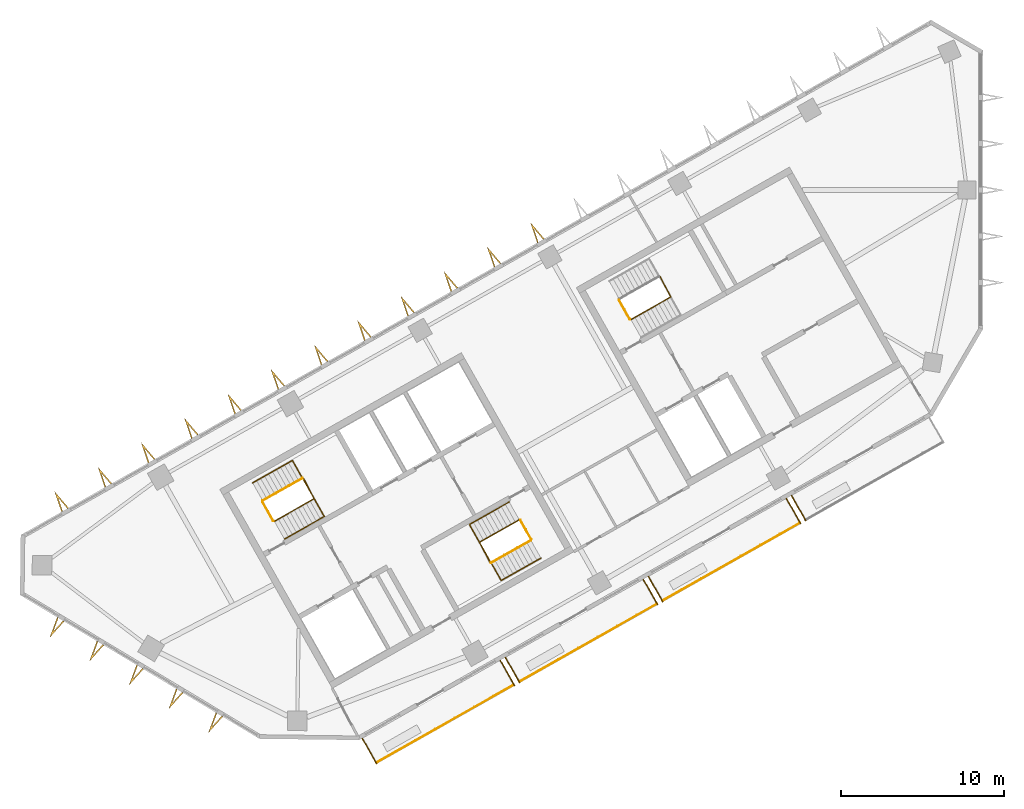
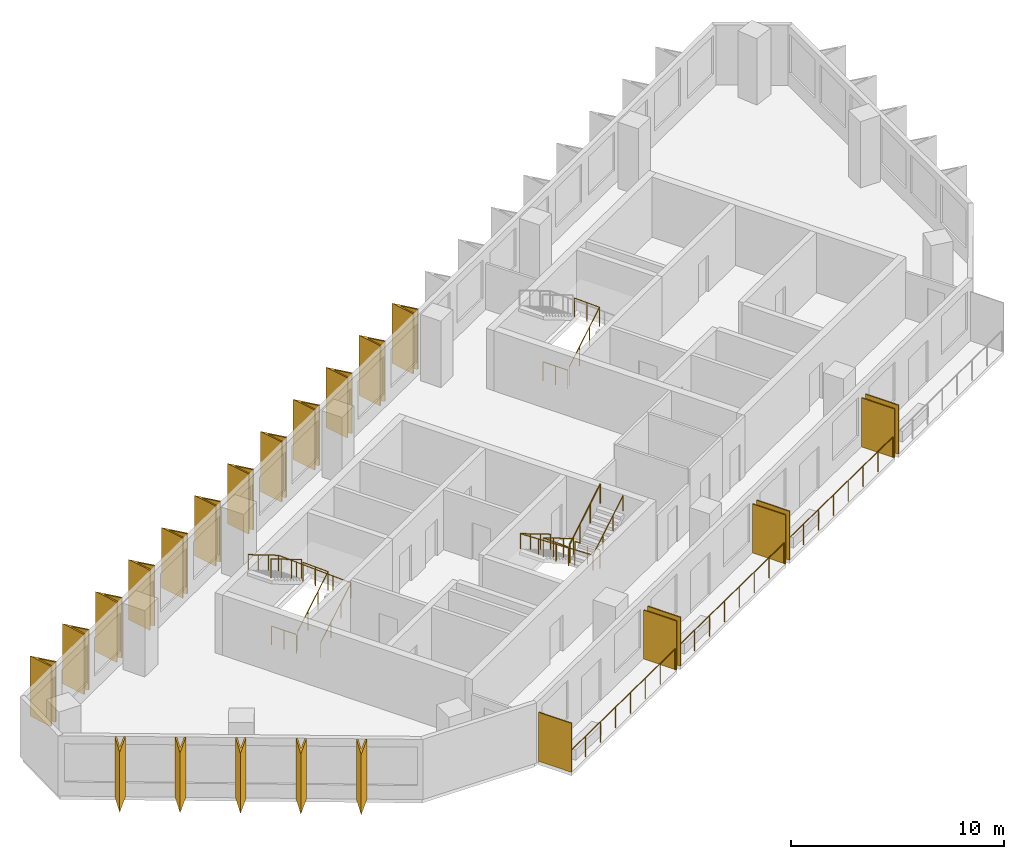
# One storey, part 6 of 8: 24 shading devices, 13 railings.
"""IFC4 building model written with IfcOpenShell, lengths in metres."""

from ifc_helpers import new_model, si_unit, direction, frame, origin, origin_2d, place, context, subcontext, project, spatial, polyline, rectangle, circle, outline, extrude, material, layer, layer_set, type_object, element, save


model = new_model("IFC4")

# Units and contexts
model_context = context("Model", 3, precision=1e-05, world=origin(), true_north=direction((0.0, 1.0)))
body_context = subcontext(model_context, "Body", "Model", "MODEL_VIEW")
ifc_project = project(units=[si_unit("LENGTHUNIT", "METRE"), si_unit("AREAUNIT", "SQUARE_METRE"), si_unit("VOLUMEUNIT", "CUBIC_METRE"), si_unit("PLANEANGLEUNIT", "RADIAN"), si_unit("MASSUNIT", "GRAM", prefix="KILO")], contexts=[model_context])

# Site, building, storey
site_placement = place(None, origin())
site = spatial("IfcSite", under=ifc_project, at=site_placement, CompositionType="ELEMENT")
building_placement = place(site_placement, origin())
building = spatial("IfcBuilding", under=site, at=building_placement, Name="Binnacle Exchange Tower", CompositionType="ELEMENT")
storey_placement = place(building_placement, frame((0.0, 0.0, 308.300048828125)))
storey = spatial("IfcBuildingStorey", under=building, at=storey_placement, Name="L69", CompositionType="ELEMENT", Elevation=308.300048828125)

# Railings
ifc_material_1 = material(Name="Bronze anodised aluminium frame", Category="aluminium")
railing_type_1 = type_object("IfcRailingType", Name="GUARD 1200", PredefinedType="GUARDRAIL", material=ifc_material_1)
for number, where, name in (
    (1, (-37.006591796875, 24.94287109375, 0.0), "Balcony guard H07-B00 L69"),
    (2, (-28.24365234375, 29.900634765625, 0.0), "Balcony guard H07-B01 L69"),
):
    element("IfcRailing", number, at=place(storey_placement, frame(where)), inside=storey, type_object=railing_type_1, Name=name, PredefinedType="GUARDRAIL", context=body_context, shape_type="SweptSolid", body=[
        extrude(circle(Radius=0.02392578125, at=origin_2d()), frame((0.0, 0.0, 1.17578125), z_axis=(0.870359171481, 0.492417417055, 0.0), x_axis=(-0.492417417055, 0.870359171481, 0.0)), (0.0, 0.0, 1.0), 9.648193359375),
        extrude(circle(Radius=0.02099609375, at=origin_2d()), origin(), (0.0, 0.0, 1.0), 1.15185546875),
        extrude(circle(Radius=0.02099609375, at=origin_2d()), frame((1.19970703125, 0.6787109375, 0.0)), (0.0, 0.0, 1.0), 1.15185546875),
        extrude(circle(Radius=0.02099609375, at=origin_2d()), frame((2.399169921875, 1.357421875, 0.0)), (0.0, 0.0, 1.0), 1.15185546875),
        extrude(circle(Radius=0.02099609375, at=origin_2d()), frame((3.598876953125, 2.0361328125, 0.0)), (0.0, 0.0, 1.0), 1.15185546875),
        extrude(circle(Radius=0.02099609375, at=origin_2d()), frame((4.798583984375, 2.71484375, 0.0)), (0.0, 0.0, 1.0), 1.15185546875),
        extrude(circle(Radius=0.02099609375, at=origin_2d()), frame((5.998291015625, 3.3935546875, 0.0)), (0.0, 0.0, 1.0), 1.15185546875),
        extrude(circle(Radius=0.02099609375, at=origin_2d()), frame((7.19775390625, 4.072265625, 0.0)), (0.0, 0.0, 1.0), 1.15185546875),
        extrude(circle(Radius=0.02099609375, at=origin_2d()), frame((8.3974609375, 4.7509765625, 0.0)), (0.0, 0.0, 1.0), 1.15185546875),
    ])
railing_1_placement = place(storey_placement, frame((-19.480712890625, 34.8583984375, 0.0)))
element("IfcRailing", 3, at=railing_1_placement, inside=storey, type_object=railing_type_1, Name="Balcony guard H07-B02 L69", PredefinedType="GUARDRAIL", context=body_context, shape_type="SweptSolid", body=[
    extrude(circle(Radius=0.02392578125, at=origin_2d()), frame((0.0, 0.0, 1.17578125), z_axis=(0.870342190373, 0.492447430349, 0.0), x_axis=(-0.492447430349, 0.870342190373, 0.0)), (0.0, 0.0, 1.0), 9.648193359375),
    extrude(circle(Radius=0.02099609375, at=origin_2d()), origin(), (0.0, 0.0, 1.0), 1.15185546875),
    extrude(circle(Radius=0.02099609375, at=origin_2d()), frame((1.19970703125, 0.6787109375, 0.0)), (0.0, 0.0, 1.0), 1.15185546875),
    extrude(circle(Radius=0.02099609375, at=origin_2d()), frame((2.399169921875, 1.357421875, 0.0)), (0.0, 0.0, 1.0), 1.15185546875),
    extrude(circle(Radius=0.02099609375, at=origin_2d()), frame((3.598876953125, 2.0361328125, 0.0)), (0.0, 0.0, 1.0), 1.15185546875),
    extrude(circle(Radius=0.02099609375, at=origin_2d()), frame((4.79833984375, 2.715087890625, 0.0)), (0.0, 0.0, 1.0), 1.15185546875),
    extrude(circle(Radius=0.02099609375, at=origin_2d()), frame((5.998046875, 3.393798828125, 0.0)), (0.0, 0.0, 1.0), 1.15185546875),
    extrude(circle(Radius=0.02099609375, at=origin_2d()), frame((7.197509765625, 4.072509765625, 0.0)), (0.0, 0.0, 1.0), 1.15185546875),
    extrude(circle(Radius=0.02099609375, at=origin_2d()), frame((8.397216796875, 4.751220703125, 0.0)), (0.0, 0.0, 1.0), 1.15185546875),
])

# Shading devices
ifc_material_2 = material(Name="Bronze aluminium louvre", Category="aluminium")
ifc_layer = layer(ifc_material_2, 0.06005859375)
ifc_layer_set = layer_set([ifc_layer], Name="PLANTED SCREEN 60x2800")
shading_device_type_1 = type_object("IfcShadingDeviceType", Name="PLANTED SCREEN 60x2800", PredefinedType="USERDEFINED", material=ifc_layer_set)
for number, where, z_axis, x_axis, name in (
    (4, (-37.436279296875, 25.641845703125, 0.0), (0.0, 0.0, 1.0), (0.87035569594, 0.492423560103, 0.0), "Planted screen H07-B00a L69"),
    (5, (-28.98681640625, 30.42236328125, 0.0), (0.0, 0.0, 1.0), (0.87035569594, 0.492423560103, 0.0), "Planted screen H07-B00b L69"),
    (6, (-28.673583984375, 30.599609375, 0.0), (0.0, 0.0, 1.0), (0.87035569594, 0.492423560103, 0.0), "Planted screen H07-B01a L69"),
    (7, (-20.223876953125, 35.380126953125, 0.0), (0.0, 0.0, 1.0), (0.87035569594, 0.492423560103, 0.0), "Planted screen H07-B01b L69"),
    (8, (-19.91064453125, 35.5576171875, 0.0), (0.0, 0.0, 1.0), (0.87035569594, 0.492423560103, 0.0), "Planted screen H07-B02a L69"),
    (9, (-11.461181640625, 40.337890625, 0.0), (0.0, 0.0, 1.0), (0.87035569594, 0.492423560103, 0.0), "Planted screen H07-B02b L69"),
    (10, (-11.147705078125, 40.51513671875, 0.0), (0.0, 0.0, 1.0), (0.87035569594, 0.492423560103, 0.0), "Planted screen H07-B03a L69"),
):
    element("IfcShadingDevice", number, at=place(storey_placement, frame(where, z_axis=z_axis, x_axis=x_axis)), inside=storey, type_object=shading_device_type_1, Name=name, ObjectType="SCREEN", PredefinedType="USERDEFINED", context=body_context, shape_type="SweptSolid", body=[
        extrude(rectangle(XDim=0.06005859375, YDim=1.800048828125, at=origin_2d()), origin(), (0.0, 0.0, 1.0), 2.800048828125),
    ])

# Railings
ifc_material_3 = material(Name="Steel guard rail", Category="steel")
railing_type_2 = type_object("IfcRailingType", Name="STAIR GUARD 1100", PredefinedType="GUARDRAIL", material=ifc_material_3)
railing_2_placement = place(storey_placement, frame((-43.26171875, 39.71728515625, 0.172607421875)))
element("IfcRailing", 11, at=railing_2_placement, inside=storey, type_object=railing_type_2, Name="L69 STA1 stair guard 1", PredefinedType="GUARDRAIL", context=body_context, shape_type="SweptSolid", body=[
    extrude(circle(Radius=0.02392578125, at=origin_2d()), frame((0.0, 0.0, 1.076171875), z_axis=(0.740737961854, 0.419123222656, 0.525017138862), x_axis=(-0.492453686477, 0.870338650569, 0.0)), (0.0, 0.0, 1.0), 3.2900390625),
    extrude(circle(Radius=0.02392578125, at=origin_2d()), frame((2.43701171875, 1.37890625, 2.80322265625), z_axis=(-0.461100321709, 0.887348011391, 0.0), x_axis=(-0.887348011391, -0.461100321709, 0.0)), (0.0, 0.0, 1.0), 1.40087890625),
    extrude(circle(Radius=0.02099609375, at=origin_2d()), origin(), (0.0, 0.0, 1.0), 1.052001953125),
    extrude(circle(Radius=0.02099609375, at=origin_2d()), frame((0.812255859375, 0.459716796875, 0.57568359375)), (0.0, 0.0, 1.0), 1.052001953125),
    extrude(circle(Radius=0.02099609375, at=origin_2d()), frame((1.624755859375, 0.919189453125, 1.151611328125)), (0.0, 0.0, 1.0), 1.052001953125),
    extrude(circle(Radius=0.02099609375, at=origin_2d()), frame((2.43701171875, 1.37890625, 1.727294921875)), (0.0, 0.0, 1.0), 1.052001953125),
    extrude(circle(Radius=0.02099609375, at=origin_2d()), frame((2.114013671875, 2.00048828125, 1.727294921875)), (0.0, 0.0, 1.0), 1.052001953125),
    extrude(circle(Radius=0.02099609375, at=origin_2d()), frame((1.791015625, 2.6220703125, 1.727294921875)), (0.0, 0.0, 1.0), 1.052001953125),
])
railing_3_placement = place(storey_placement, frame((-41.538818359375, 42.358154296875, 2.07275390625)))
element("IfcRailing", 12, at=railing_3_placement, inside=storey, type_object=railing_type_2, Name="L69 STA1 stair guard 2", PredefinedType="GUARDRAIL", context=body_context, shape_type="SweptSolid", body=[
    extrude(circle(Radius=0.02392578125, at=origin_2d()), frame((0.0, 0.0, 1.076171875), z_axis=(-0.740737961854, -0.419123222656, 0.525017138862), x_axis=(0.492453686477, -0.870338650569, 0.0)), (0.0, 0.0, 1.0), 3.2900390625),
    extrude(circle(Radius=0.02099609375, at=origin_2d()), origin(), (0.0, 0.0, 1.0), 1.052001953125),
    extrude(circle(Radius=0.02099609375, at=origin_2d()), frame((-0.812255859375, -0.459716796875, 0.57568359375)), (0.0, 0.0, 1.0), 1.052001953125),
    extrude(circle(Radius=0.02099609375, at=origin_2d()), frame((-1.624755859375, -0.919189453125, 1.151611328125)), (0.0, 0.0, 1.0), 1.052001953125),
    extrude(circle(Radius=0.02099609375, at=origin_2d()), frame((-2.43701171875, -1.37890625, 1.727294921875)), (0.0, 0.0, 1.0), 1.052001953125),
])
railing_4_placement = place(storey_placement, frame((-43.329833984375, 39.736328125, 0.0)))
element("IfcRailing", 13, at=railing_4_placement, inside=storey, type_object=railing_type_2, Name="L69 STA1 stair guard 3", PredefinedType="GUARDRAIL", context=body_context, shape_type="SweptSolid", body=[
    extrude(circle(Radius=0.02392578125, at=origin_2d()), frame((0.0, 0.0, 1.076171875), z_axis=(-0.4924922531, 0.870316827734, 0.0), x_axis=(-0.870316827734, -0.4924922531, 0.0)), (0.0, 0.0, 1.0), 1.349853515625),
    extrude(circle(Radius=0.02099609375, at=origin_2d()), origin(), (0.0, 0.0, 1.0), 1.052001953125),
    extrude(circle(Radius=0.02099609375, at=origin_2d()), frame((-0.33251953125, 0.58740234375, 0.0)), (0.0, 0.0, 1.0), 1.052001953125),
    extrude(circle(Radius=0.02099609375, at=origin_2d()), frame((-0.664794921875, 1.1748046875, 0.0)), (0.0, 0.0, 1.0), 1.052001953125),
])
railing_5_placement = place(storey_placement, frame((-28.265380859375, 39.814453125, 0.172607421875)))
element("IfcRailing", 14, at=railing_5_placement, inside=storey, type_object=railing_type_2, Name="L69 STA2 stair guard 1", PredefinedType="GUARDRAIL", context=body_context, shape_type="SweptSolid", body=[
    extrude(circle(Radius=0.02392578125, at=origin_2d()), frame((0.0, 0.0, 1.076171875), z_axis=(-0.740760999345, -0.419062048017, 0.525033467278), x_axis=(0.492387636113, -0.870376019777, 0.0)), (0.0, 0.0, 1.0), 3.289794921875),
    extrude(circle(Radius=0.02392578125, at=origin_2d()), frame((-2.43701171875, -1.378662109375, 2.80322265625), z_axis=(0.460963092712, -0.887419307406, 0.0), x_axis=(0.887419307406, 0.460963092712, 0.0)), (0.0, 0.0, 1.0), 1.40087890625),
    extrude(circle(Radius=0.02099609375, at=origin_2d()), origin(), (0.0, 0.0, 1.0), 1.052001953125),
    extrude(circle(Radius=0.02099609375, at=origin_2d()), frame((-0.812255859375, -0.45947265625, 0.57568359375)), (0.0, 0.0, 1.0), 1.052001953125),
    extrude(circle(Radius=0.02099609375, at=origin_2d()), frame((-1.624755859375, -0.919189453125, 1.151611328125)), (0.0, 0.0, 1.0), 1.052001953125),
    extrude(circle(Radius=0.02099609375, at=origin_2d()), frame((-2.43701171875, -1.378662109375, 1.727294921875)), (0.0, 0.0, 1.0), 1.052001953125),
    extrude(circle(Radius=0.02099609375, at=origin_2d()), frame((-2.1142578125, -2.000244140625, 1.727294921875)), (0.0, 0.0, 1.0), 1.052001953125),
    extrude(circle(Radius=0.02099609375, at=origin_2d()), frame((-1.791259765625, -2.621826171875, 1.727294921875)), (0.0, 0.0, 1.0), 1.052001953125),
])
railing_6_placement = place(storey_placement, frame((-29.988525390625, 37.173583984375, 2.07275390625)))
element("IfcRailing", 15, at=railing_6_placement, inside=storey, type_object=railing_type_2, Name="L69 STA2 stair guard 2", PredefinedType="GUARDRAIL", context=body_context, shape_type="SweptSolid", body=[
    extrude(circle(Radius=0.02392578125, at=origin_2d()), frame((0.0, 0.0, 1.076171875), z_axis=(0.740737961854, 0.419123222656, 0.525017138862), x_axis=(-0.492453686477, 0.870338650569, 0.0)), (0.0, 0.0, 1.0), 3.2900390625),
    extrude(circle(Radius=0.02099609375, at=origin_2d()), origin(), (0.0, 0.0, 1.0), 1.052001953125),
    extrude(circle(Radius=0.02099609375, at=origin_2d()), frame((0.812255859375, 0.459716796875, 0.57568359375)), (0.0, 0.0, 1.0), 1.052001953125),
    extrude(circle(Radius=0.02099609375, at=origin_2d()), frame((1.624755859375, 0.919189453125, 1.151611328125)), (0.0, 0.0, 1.0), 1.052001953125),
    extrude(circle(Radius=0.02099609375, at=origin_2d()), frame((2.43701171875, 1.37890625, 1.727294921875)), (0.0, 0.0, 1.0), 1.052001953125),
])
railing_7_placement = place(storey_placement, frame((-28.197265625, 39.795654296875, 0.0)))
element("IfcRailing", 16, at=railing_7_placement, inside=storey, type_object=railing_type_2, Name="L69 STA2 stair guard 3", PredefinedType="GUARDRAIL", context=body_context, shape_type="SweptSolid", body=[
    extrude(circle(Radius=0.02392578125, at=origin_2d()), frame((0.0, 0.0, 1.076171875), z_axis=(0.49241474071, -0.870360685654, 0.0), x_axis=(0.870360685654, 0.49241474071, 0.0)), (0.0, 0.0, 1.0), 1.35009765625),
    extrude(circle(Radius=0.02099609375, at=origin_2d()), origin(), (0.0, 0.0, 1.0), 1.052001953125),
    extrude(circle(Radius=0.02099609375, at=origin_2d()), frame((0.33251953125, -0.58740234375, 0.0)), (0.0, 0.0, 1.0), 1.052001953125),
    extrude(circle(Radius=0.02099609375, at=origin_2d()), frame((0.664794921875, -1.175048828125, 0.0)), (0.0, 0.0, 1.0), 1.052001953125),
])
railing_8_placement = place(storey_placement, frame((-21.423828125, 52.07275390625, 0.172607421875)))
element("IfcRailing", 17, at=railing_8_placement, inside=storey, type_object=railing_type_2, Name="L69 STC1 stair guard 1", PredefinedType="GUARDRAIL", context=body_context, shape_type="SweptSolid", body=[
    extrude(circle(Radius=0.02392578125, at=origin_2d()), frame((0.0, 0.0, 1.076171875), z_axis=(0.740760999345, 0.419062048017, 0.525033467278), x_axis=(-0.492387636113, 0.870376019777, 0.0)), (0.0, 0.0, 1.0), 3.289794921875),
    extrude(circle(Radius=0.02392578125, at=origin_2d()), frame((2.43701171875, 1.378662109375, 2.80322265625), z_axis=(-0.460963092712, 0.887419307406, 0.0), x_axis=(-0.887419307406, -0.460963092712, 0.0)), (0.0, 0.0, 1.0), 1.40087890625),
    extrude(circle(Radius=0.02099609375, at=origin_2d()), origin(), (0.0, 0.0, 1.0), 1.052001953125),
    extrude(circle(Radius=0.02099609375, at=origin_2d()), frame((0.812255859375, 0.45947265625, 0.57568359375)), (0.0, 0.0, 1.0), 1.052001953125),
    extrude(circle(Radius=0.02099609375, at=origin_2d()), frame((1.624755859375, 0.919189453125, 1.151611328125)), (0.0, 0.0, 1.0), 1.052001953125),
    extrude(circle(Radius=0.02099609375, at=origin_2d()), frame((2.43701171875, 1.378662109375, 1.727294921875)), (0.0, 0.0, 1.0), 1.052001953125),
    extrude(circle(Radius=0.02099609375, at=origin_2d()), frame((2.1142578125, 2.000244140625, 1.727294921875)), (0.0, 0.0, 1.0), 1.052001953125),
    extrude(circle(Radius=0.02099609375, at=origin_2d()), frame((1.791259765625, 2.621826171875, 1.727294921875)), (0.0, 0.0, 1.0), 1.052001953125),
])
railing_9_placement = place(storey_placement, frame((-21.491943359375, 52.091552734375, 0.0)))
element("IfcRailing", 18, at=railing_9_placement, inside=storey, type_object=railing_type_2, Name="L69 STC1 stair guard 3", PredefinedType="GUARDRAIL", context=body_context, shape_type="SweptSolid", body=[
    extrude(circle(Radius=0.02392578125, at=origin_2d()), frame((0.0, 0.0, 1.076171875), z_axis=(-0.49241474071, 0.870360685654, 0.0), x_axis=(-0.870360685654, -0.49241474071, 0.0)), (0.0, 0.0, 1.0), 1.35009765625),
    extrude(circle(Radius=0.02099609375, at=origin_2d()), origin(), (0.0, 0.0, 1.0), 1.052001953125),
    extrude(circle(Radius=0.02099609375, at=origin_2d()), frame((-0.33251953125, 0.58740234375, 0.0)), (0.0, 0.0, 1.0), 1.052001953125),
    extrude(circle(Radius=0.02099609375, at=origin_2d()), frame((-0.664794921875, 1.175048828125, 0.0)), (0.0, 0.0, 1.0), 1.052001953125),
])
ifc_material_4 = material(Name="Steel handrail", Category="steel")
railing_type_3 = type_object("IfcRailingType", Name="STAIR HANDRAIL 900", PredefinedType="HANDRAIL", material=ifc_material_4)
railing_10_placement = place(storey_placement, frame((-42.646240234375, 38.62939453125, 0.172607421875)))
element("IfcRailing", 19, at=railing_10_placement, inside=storey, type_object=railing_type_3, Name="L69 STA1 stair handrail 1", PredefinedType="HANDRAIL", context=body_context, shape_type="SweptSolid", body=[
    extrude(circle(Radius=0.02392578125, at=origin_2d()), frame((0.0, 0.0, 0.8759765625), z_axis=(0.740760999345, 0.419062048017, 0.525033467278), x_axis=(-0.492387636113, 0.870376019777, 0.0)), (0.0, 0.0, 1.0), 3.289794921875),
    extrude(circle(Radius=0.02392578125, at=origin_2d()), frame((2.43701171875, 1.378662109375, 2.60302734375), z_axis=(-0.491942846455, 0.869529203437, 0.043717275673), x_axis=(-0.870361318571, -0.492413622004, 0.0)), (0.0, 0.0, 1.0), 3.953857421875),
    extrude(circle(Radius=0.02392578125, at=origin_2d()), frame((0.491943359375, 4.816650390625, 2.77587890625), z_axis=(-0.740760999345, -0.419062048017, 0.525033467278), x_axis=(0.492387636113, -0.870376019777, 0.0)), (0.0, 0.0, 1.0), 3.289794921875),
    extrude(circle(Radius=0.02099609375, at=origin_2d()), origin(), (0.0, 0.0, 1.0), 0.851806640625),
    extrude(circle(Radius=0.02099609375, at=origin_2d()), frame((0.812255859375, 0.45947265625, 0.57568359375)), (0.0, 0.0, 1.0), 0.851806640625),
    extrude(circle(Radius=0.02099609375, at=origin_2d()), frame((1.624755859375, 0.919189453125, 1.151611328125)), (0.0, 0.0, 1.0), 0.851806640625),
    extrude(circle(Radius=0.02099609375, at=origin_2d()), frame((2.43701171875, 1.378662109375, 1.727294921875)), (0.0, 0.0, 1.0), 0.851806640625),
    extrude(circle(Radius=0.02099609375, at=origin_2d()), frame((1.95068359375, 2.23828125, 1.7705078125)), (0.0, 0.0, 1.0), 0.851806640625),
    extrude(circle(Radius=0.02099609375, at=origin_2d()), frame((1.46435546875, 3.09765625, 1.813720703125)), (0.0, 0.0, 1.0), 0.851806640625),
    extrude(circle(Radius=0.02099609375, at=origin_2d()), frame((0.978271484375, 3.95703125, 1.85693359375)), (0.0, 0.0, 1.0), 0.851806640625),
    extrude(circle(Radius=0.02099609375, at=origin_2d()), frame((0.491943359375, 4.816650390625, 1.900146484375)), (0.0, 0.0, 1.0), 0.851806640625),
    extrude(circle(Radius=0.02099609375, at=origin_2d()), frame((-0.3203125, 4.357177734375, 2.475830078125)), (0.0, 0.0, 1.0), 0.851806640625),
    extrude(circle(Radius=0.02099609375, at=origin_2d()), frame((-1.1328125, 3.8974609375, 3.0517578125)), (0.0, 0.0, 1.0), 0.851806640625),
    extrude(circle(Radius=0.02099609375, at=origin_2d()), frame((-1.945068359375, 3.43798828125, 3.62744140625)), (0.0, 0.0, 1.0), 0.851806640625),
])
railing_11_placement = place(storey_placement, frame((-28.880859375, 40.90234375, 0.172607421875)))
element("IfcRailing", 20, at=railing_11_placement, inside=storey, type_object=railing_type_3, Name="L69 STA2 stair handrail 1", PredefinedType="HANDRAIL", context=body_context, shape_type="SweptSolid", body=[
    extrude(circle(Radius=0.02392578125, at=origin_2d()), frame((0.0, 0.0, 0.8759765625), z_axis=(-0.740760999345, -0.419062048017, 0.525033467278), x_axis=(0.492387636113, -0.870376019777, 0.0)), (0.0, 0.0, 1.0), 3.289794921875),
    extrude(circle(Radius=0.02392578125, at=origin_2d()), frame((-2.43701171875, -1.378662109375, 2.60302734375), z_axis=(0.491942846455, -0.869529203437, 0.043717275673), x_axis=(0.870361318571, 0.492413622004, 0.0)), (0.0, 0.0, 1.0), 3.953857421875),
    extrude(circle(Radius=0.02392578125, at=origin_2d()), frame((-0.491943359375, -4.816650390625, 2.77587890625), z_axis=(0.740737961854, 0.419123222656, 0.525017138862), x_axis=(-0.492453686477, 0.870338650569, 0.0)), (0.0, 0.0, 1.0), 3.2900390625),
    extrude(circle(Radius=0.02099609375, at=origin_2d()), origin(), (0.0, 0.0, 1.0), 0.851806640625),
    extrude(circle(Radius=0.02099609375, at=origin_2d()), frame((-0.812255859375, -0.45947265625, 0.57568359375)), (0.0, 0.0, 1.0), 0.851806640625),
    extrude(circle(Radius=0.02099609375, at=origin_2d()), frame((-1.624755859375, -0.919189453125, 1.151611328125)), (0.0, 0.0, 1.0), 0.851806640625),
    extrude(circle(Radius=0.02099609375, at=origin_2d()), frame((-2.43701171875, -1.378662109375, 1.727294921875)), (0.0, 0.0, 1.0), 0.851806640625),
    extrude(circle(Radius=0.02099609375, at=origin_2d()), frame((-1.95068359375, -2.23828125, 1.7705078125)), (0.0, 0.0, 1.0), 0.851806640625),
    extrude(circle(Radius=0.02099609375, at=origin_2d()), frame((-1.46435546875, -3.09765625, 1.813720703125)), (0.0, 0.0, 1.0), 0.851806640625),
    extrude(circle(Radius=0.02099609375, at=origin_2d()), frame((-0.978271484375, -3.95703125, 1.85693359375)), (0.0, 0.0, 1.0), 0.851806640625),
    extrude(circle(Radius=0.02099609375, at=origin_2d()), frame((-0.491943359375, -4.816650390625, 1.900146484375)), (0.0, 0.0, 1.0), 0.851806640625),
    extrude(circle(Radius=0.02099609375, at=origin_2d()), frame((0.3203125, -4.35693359375, 2.475830078125)), (0.0, 0.0, 1.0), 0.851806640625),
    extrude(circle(Radius=0.02099609375, at=origin_2d()), frame((1.1328125, -3.8974609375, 3.0517578125)), (0.0, 0.0, 1.0), 0.851806640625),
    extrude(circle(Radius=0.02099609375, at=origin_2d()), frame((1.945068359375, -3.437744140625, 3.62744140625)), (0.0, 0.0, 1.0), 0.851806640625),
])

# Shading devices
ifc_material_5 = material(Name="Bronze aluminium cladding", Category="aluminium")
shading_device_type_2 = type_object("IfcShadingDeviceType", Name="V FIN 1300 DEEP x 3450 HIGH", PredefinedType="USERDEFINED", material=ifc_material_5)
shading_device_1_placement = place(storey_placement, origin())
element("IfcShadingDevice", 21, at=shading_device_1_placement, inside=storey, type_object=shading_device_type_2, Name="V fin FN-H03-09 L69", ObjectType="FIN", PredefinedType="USERDEFINED", context=body_context, shape_type="SweptSolid", body=[
    extrude(outline(polyline([(-26.72900390625, 57.02099609375), (-27.586669921875, 58.029541015625), (-27.1640625, 56.77490234375), (-27.09326171875, 56.81494140625), (-27.3779296875, 57.660888671875), (-26.7998046875, 56.98095703125), (-26.72900390625, 57.02099609375)])), origin(), (0.0, 0.0, 1.0), 3.449951171875),
])
shading_device_2_placement = place(storey_placement, origin())
element("IfcShadingDevice", 22, at=shading_device_2_placement, inside=storey, type_object=shading_device_type_2, Name="V fin FN-H03-10 L69", ObjectType="FIN", PredefinedType="USERDEFINED", context=body_context, shape_type="SweptSolid", body=[
    extrude(outline(polyline([(-29.377685546875, 55.5224609375), (-30.2353515625, 56.531005859375), (-29.812744140625, 55.2763671875), (-29.741943359375, 55.31640625), (-30.026611328125, 56.162109375), (-29.448486328125, 55.482421875), (-29.377685546875, 55.5224609375)])), origin(), (0.0, 0.0, 1.0), 3.449951171875),
])
shading_device_3_placement = place(storey_placement, origin())
element("IfcShadingDevice", 23, at=shading_device_3_placement, inside=storey, type_object=shading_device_type_2, Name="V fin FN-H03-11 L69", ObjectType="FIN", PredefinedType="USERDEFINED", context=body_context, shape_type="SweptSolid", body=[
    extrude(outline(polyline([(-32.0263671875, 54.02392578125), (-32.884033203125, 55.032470703125), (-32.46142578125, 53.77783203125), (-32.390625, 53.81787109375), (-32.67529296875, 54.663818359375), (-32.09716796875, 53.98388671875), (-32.0263671875, 54.02392578125)])), origin(), (0.0, 0.0, 1.0), 3.449951171875),
])
shading_device_4_placement = place(storey_placement, origin())
element("IfcShadingDevice", 24, at=shading_device_4_placement, inside=storey, type_object=shading_device_type_2, Name="V fin FN-H03-12 L69", ObjectType="FIN", PredefinedType="USERDEFINED", context=body_context, shape_type="SweptSolid", body=[
    extrude(outline(polyline([(-34.675048828125, 52.525390625), (-35.53271484375, 53.53369140625), (-35.110107421875, 52.279296875), (-35.039306640625, 52.3193359375), (-35.32421875, 53.1650390625), (-34.745849609375, 52.4853515625), (-34.675048828125, 52.525390625)])), origin(), (0.0, 0.0, 1.0), 3.449951171875),
])
shading_device_5_placement = place(storey_placement, origin())
element("IfcShadingDevice", 25, at=shading_device_5_placement, inside=storey, type_object=shading_device_type_2, Name="V fin FN-H03-13 L69", ObjectType="FIN", PredefinedType="USERDEFINED", context=body_context, shape_type="SweptSolid", body=[
    extrude(outline(polyline([(-37.32373046875, 51.02685546875), (-38.181640625, 52.03515625), (-37.759033203125, 50.780517578125), (-37.68798828125, 50.82080078125), (-37.972900390625, 51.66650390625), (-37.394775390625, 50.98681640625), (-37.32373046875, 51.02685546875)])), origin(), (0.0, 0.0, 1.0), 3.449951171875),
])
shading_device_6_placement = place(storey_placement, origin())
element("IfcShadingDevice", 26, at=shading_device_6_placement, inside=storey, type_object=shading_device_type_2, Name="V fin FN-H03-14 L69", ObjectType="FIN", PredefinedType="USERDEFINED", context=body_context, shape_type="SweptSolid", body=[
    extrude(outline(polyline([(-39.972412109375, 49.5283203125), (-40.830322265625, 50.53662109375), (-40.40771484375, 49.281982421875), (-40.3369140625, 49.322021484375), (-40.62158203125, 50.16796875), (-40.04345703125, 49.488037109375), (-39.972412109375, 49.5283203125)])), origin(), (0.0, 0.0, 1.0), 3.449951171875),
])
shading_device_7_placement = place(storey_placement, origin())
element("IfcShadingDevice", 27, at=shading_device_7_placement, inside=storey, type_object=shading_device_type_2, Name="V fin FN-H03-15 L69", ObjectType="FIN", PredefinedType="USERDEFINED", context=body_context, shape_type="SweptSolid", body=[
    extrude(outline(polyline([(-42.621337890625, 48.029541015625), (-43.47900390625, 49.0380859375), (-43.056396484375, 47.783447265625), (-42.985595703125, 47.823486328125), (-43.2705078125, 48.669189453125), (-42.692138671875, 47.989501953125), (-42.621337890625, 48.029541015625)])), origin(), (0.0, 0.0, 1.0), 3.449951171875),
])
shading_device_8_placement = place(storey_placement, origin())
element("IfcShadingDevice", 28, at=shading_device_8_placement, inside=storey, type_object=shading_device_type_2, Name="V fin FN-H03-16 L69", ObjectType="FIN", PredefinedType="USERDEFINED", context=body_context, shape_type="SweptSolid", body=[
    extrude(outline(polyline([(-45.27001953125, 46.531005859375), (-46.127685546875, 47.539306640625), (-45.705078125, 46.284912109375), (-45.63427734375, 46.324951171875), (-45.919189453125, 47.170654296875), (-45.3408203125, 46.490966796875), (-45.27001953125, 46.531005859375)])), origin(), (0.0, 0.0, 1.0), 3.449951171875),
])
shading_device_9_placement = place(storey_placement, origin())
element("IfcShadingDevice", 29, at=shading_device_9_placement, inside=storey, type_object=shading_device_type_2, Name="V fin FN-H03-17 L69", ObjectType="FIN", PredefinedType="USERDEFINED", context=body_context, shape_type="SweptSolid", body=[
    extrude(outline(polyline([(-47.918701171875, 45.032470703125), (-48.776611328125, 46.040771484375), (-48.35400390625, 44.7861328125), (-48.283203125, 44.826416015625), (-48.56787109375, 45.672119140625), (-47.98974609375, 44.9921875), (-47.918701171875, 45.032470703125)])), origin(), (0.0, 0.0, 1.0), 3.449951171875),
])
shading_device_10_placement = place(storey_placement, origin())
element("IfcShadingDevice", 30, at=shading_device_10_placement, inside=storey, type_object=shading_device_type_2, Name="V fin FN-H03-18 L69", ObjectType="FIN", PredefinedType="USERDEFINED", context=body_context, shape_type="SweptSolid", body=[
    extrude(outline(polyline([(-50.5673828125, 43.533935546875), (-51.42529296875, 44.542236328125), (-51.002685546875, 43.28759765625), (-50.931884765625, 43.327880859375), (-51.216552734375, 44.173583984375), (-50.638427734375, 43.493896484375), (-50.5673828125, 43.533935546875)])), origin(), (0.0, 0.0, 1.0), 3.449951171875),
])
shading_device_11_placement = place(storey_placement, origin())
element("IfcShadingDevice", 31, at=shading_device_11_placement, inside=storey, type_object=shading_device_type_2, Name="V fin FN-H03-19 L69", ObjectType="FIN", PredefinedType="USERDEFINED", context=body_context, shape_type="SweptSolid", body=[
    extrude(outline(polyline([(-53.21630859375, 42.035400390625), (-54.073974609375, 43.043701171875), (-53.6513671875, 41.7890625), (-53.58056640625, 41.8291015625), (-53.865234375, 42.675048828125), (-53.287109375, 41.9951171875), (-53.21630859375, 42.035400390625)])), origin(), (0.0, 0.0, 1.0), 3.449951171875),
])
shading_device_12_placement = place(storey_placement, origin())
element("IfcShadingDevice", 32, at=shading_device_12_placement, inside=storey, type_object=shading_device_type_2, Name="V fin FN-H03-20 L69", ObjectType="FIN", PredefinedType="USERDEFINED", context=body_context, shape_type="SweptSolid", body=[
    extrude(outline(polyline([(-55.864990234375, 40.53662109375), (-56.722900390625, 41.545166015625), (-56.30029296875, 40.29052734375), (-56.229248046875, 40.33056640625), (-56.51416015625, 41.176513671875), (-55.935791015625, 40.49658203125), (-55.864990234375, 40.53662109375)])), origin(), (0.0, 0.0, 1.0), 3.449951171875),
])
shading_device_13_placement = place(storey_placement, origin())
element("IfcShadingDevice", 33, at=shading_device_13_placement, inside=storey, type_object=shading_device_type_2, Name="V fin FN-H05-01 L69", ObjectType="FIN", PredefinedType="USERDEFINED", context=body_context, shape_type="SweptSolid", body=[
    extrude(outline(polyline([(-56.566162109375, 33.842529296875), (-57.021240234375, 32.599365234375), (-56.137451171875, 33.5849609375), (-56.207275390625, 33.626953125), (-56.80322265625, 32.96240234375), (-56.496337890625, 33.800537109375), (-56.566162109375, 33.842529296875)])), origin(), (0.0, 0.0, 1.0), 3.449951171875),
])
shading_device_14_placement = place(storey_placement, origin())
element("IfcShadingDevice", 34, at=shading_device_14_placement, inside=storey, type_object=shading_device_type_2, Name="V fin FN-H05-02 L69", ObjectType="FIN", PredefinedType="USERDEFINED", context=body_context, shape_type="SweptSolid", body=[
    extrude(outline(polyline([(-54.137451171875, 32.38330078125), (-54.592529296875, 31.14013671875), (-53.708740234375, 32.12548828125), (-53.778564453125, 32.16748046875), (-54.37451171875, 31.503173828125), (-54.067626953125, 32.34130859375), (-54.137451171875, 32.38330078125)])), origin(), (0.0, 0.0, 1.0), 3.449951171875),
])
shading_device_15_placement = place(storey_placement, origin())
element("IfcShadingDevice", 35, at=shading_device_15_placement, inside=storey, type_object=shading_device_type_2, Name="V fin FN-H05-03 L69", ObjectType="FIN", PredefinedType="USERDEFINED", context=body_context, shape_type="SweptSolid", body=[
    extrude(outline(polyline([(-51.708740234375, 30.923828125), (-52.1640625, 29.680908203125), (-51.2802734375, 30.666259765625), (-51.35009765625, 30.708251953125), (-51.94580078125, 30.0439453125), (-51.638916015625, 30.8818359375), (-51.708740234375, 30.923828125)])), origin(), (0.0, 0.0, 1.0), 3.449951171875),
])
shading_device_16_placement = place(storey_placement, origin())
element("IfcShadingDevice", 36, at=shading_device_16_placement, inside=storey, type_object=shading_device_type_2, Name="V fin FN-H05-04 L69", ObjectType="FIN", PredefinedType="USERDEFINED", context=body_context, shape_type="SweptSolid", body=[
    extrude(outline(polyline([(-49.280029296875, 29.464599609375), (-49.7353515625, 28.2216796875), (-48.8515625, 29.20703125), (-48.92138671875, 29.2490234375), (-49.51708984375, 28.584716796875), (-49.210205078125, 29.422607421875), (-49.280029296875, 29.464599609375)])), origin(), (0.0, 0.0, 1.0), 3.449951171875),
])
shading_device_17_placement = place(storey_placement, origin())
element("IfcShadingDevice", 37, at=shading_device_17_placement, inside=storey, type_object=shading_device_type_2, Name="V fin FN-H05-05 L69", ObjectType="FIN", PredefinedType="USERDEFINED", context=body_context, shape_type="SweptSolid", body=[
    extrude(outline(polyline([(-46.8515625, 28.00537109375), (-47.306640625, 26.76220703125), (-46.4228515625, 27.747802734375), (-46.49267578125, 27.789794921875), (-47.088623046875, 27.12548828125), (-46.78173828125, 27.96337890625), (-46.8515625, 28.00537109375)])), origin(), (0.0, 0.0, 1.0), 3.449951171875),
])

save(model, "model.ifc")
